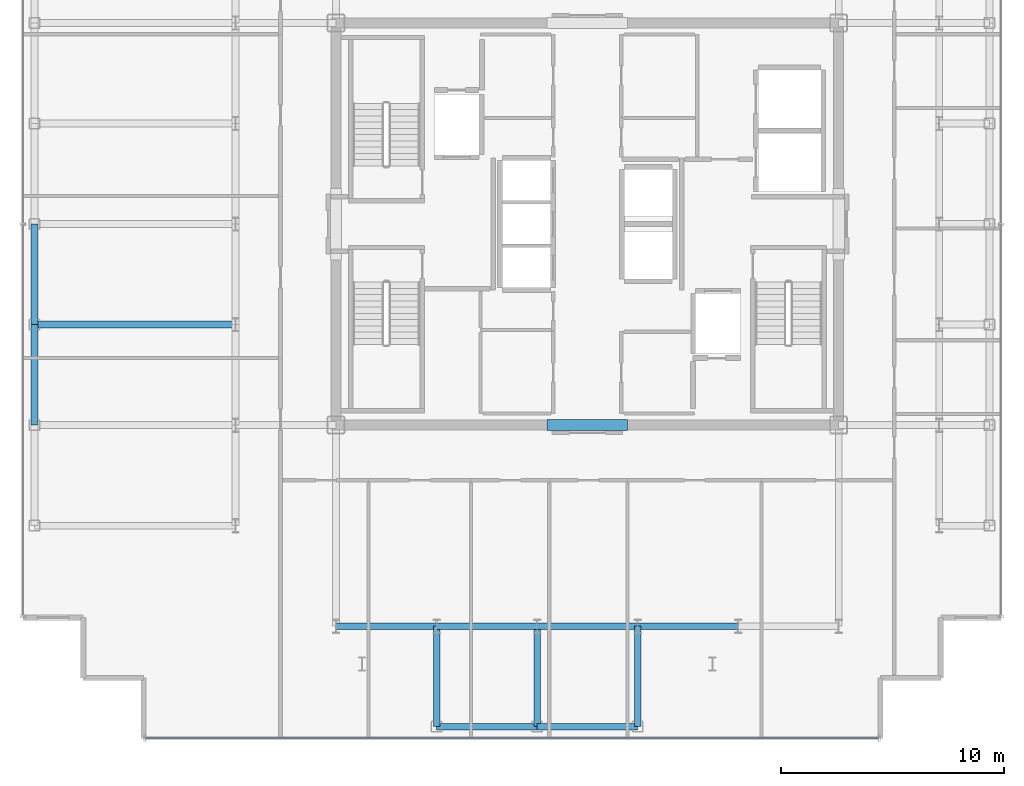
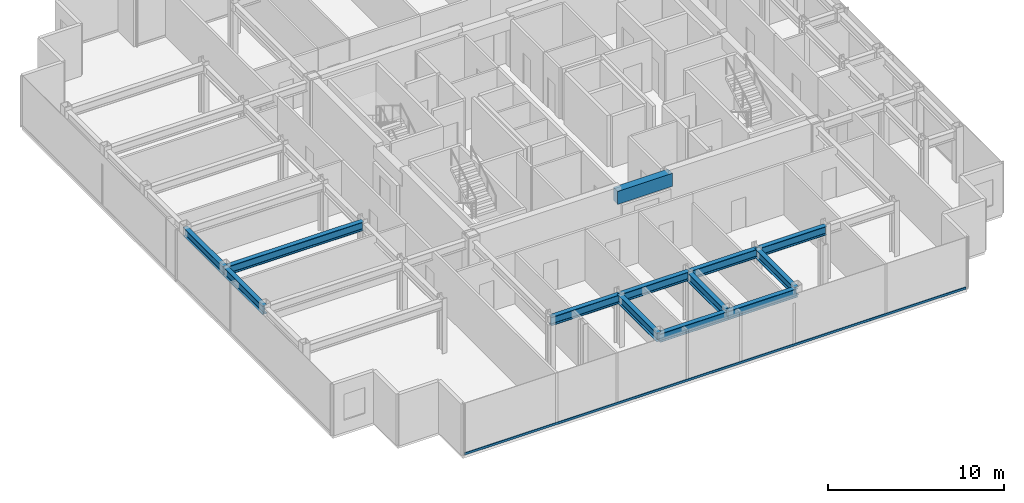
# One storey, part 3 of 18: 13 beams, 1 member, 1 element without a shape of its own.
"""IFC4 building model written with IfcOpenShell, lengths in metres."""

from ifc_helpers import new_model, si_unit, direction, frame, origin, origin_2d, place, context, subcontext, project, spatial, rectangle, hollow_rectangle, i_section, extrude, source, transform, mapped, material, layer, layer_set, material_profile, profile_set, type_object, element, aggregate, save


model = new_model("IFC4")

# Units and contexts
model_context = context("Model", 3, precision=1e-05, world=origin(), true_north=direction((0.0, 1.0)))
body_context = subcontext(model_context, "Body", "Model", "MODEL_VIEW")
ifc_project = project(units=[si_unit("LENGTHUNIT", "METRE"), si_unit("AREAUNIT", "SQUARE_METRE"), si_unit("VOLUMEUNIT", "CUBIC_METRE"), si_unit("PLANEANGLEUNIT", "RADIAN"), si_unit("MASSUNIT", "GRAM", prefix="KILO")], contexts=[model_context])

# Site, building, storey
site_placement = place(None, origin())
site = spatial("IfcSite", under=ifc_project, at=site_placement, CompositionType="ELEMENT")
building_placement = place(site_placement, origin())
building = spatial("IfcBuilding", under=site, at=building_placement, Name="Nefas-Gora Pilgrimage Tower", CompositionType="ELEMENT")
storey_placement = place(building_placement, frame((0.0, 0.0, 295.0)))
storey = spatial("IfcBuildingStorey", under=building, at=storey_placement, Name="L74", CompositionType="ELEMENT", Elevation=295.0)

# Beams
ifc_material_1 = material(Name="Concrete C50/60", Category="concrete")
ifc_material_profile_1 = material_profile(ifc_material_1, rectangle(XDim=0.5, YDim=0.89990234375, at=origin_2d()), Name="RC 500x900")
ifc_profile_set_1 = profile_set([ifc_material_profile_1], Name="Concrete C50/60")
beam_type_1 = type_object("IfcBeamType", Name="BM-LIN-RC900", PredefinedType="LINTEL", material=ifc_profile_set_1)
shared_shape_1 = source(origin(), body_context, "Body", "SweptSolid", [
    extrude(rectangle(XDim=0.5, YDim=0.89990234375, at=origin_2d()), origin(), (0.0, 0.0, 1.0), 3.60009765625),
])
beam_1_placement = place(storey_placement, frame((-1.800048828125, -9.0, 3.10009765625), z_axis=(1.0, 0.0, 0.0), x_axis=(0.0, 1.0, 0.0)))
element("IfcBeam", 1, at=beam_1_placement, inside=storey, type_object=beam_type_1, Name="L74 Core Coupling Lintel Beam S", PredefinedType="LINTEL", context=body_context, shape_type="MappedRepresentation", body=[
    mapped(shared_shape_1, transform((0.0, 0.0, 0.0), x_axis=(1.0, 0.0, 0.0), y_axis=(0.0, 1.0, 0.0), z_axis=(0.0, 0.0, 1.0), scale=1.0)),
])
ifc_material_2 = material(Name="Steel S355", Category="steel")
ifc_material_profile_2 = material_profile(ifc_material_2, i_section(OverallWidth=0.300048828125, OverallDepth=0.60009765625, WebThickness=0.015380859375, FlangeThickness=0.030029296875, FilletRadius=0.027099609375, at=origin_2d()), Name="HEB 600")
ifc_profile_set_2 = profile_set([ifc_material_profile_2], Name="Steel S355")
beam_type_2 = type_object("IfcBeamType", Name="BM-SPN-HEB450", PredefinedType="SPANDREL", material=ifc_profile_set_2)
shared_shape_2 = source(origin(), body_context, "Body", "SweptSolid", [
    extrude(i_section(OverallWidth=0.300048828125, OverallDepth=0.60009765625, WebThickness=0.015380859375, FlangeThickness=0.030029296875, FilletRadius=0.027099609375, at=origin_2d()), origin(), (0.0, 0.0, 1.0), 4.5),
])
for number, where, z_axis, x_axis, name in (
    (2, (-24.75, -9.0, 3.25), (0.0, 1.0, 0.0), (-1.0, 0.0, 0.0), "L74 SP-03 beam"),
    (3, (-24.75, -4.5, 3.25), (0.0, 1.0, 0.0), (-1.0, 0.0, 0.0), "L74 SP-03 beam"),
    (4, (-6.75, -22.5, 3.25), (1.0, 0.0, 0.0), (0.0, 1.0, 0.0), "L74 SP-03 beam"),
    (5, (-2.25, -22.5, 3.25), (1.0, 0.0, 0.0), (0.0, 1.0, 0.0), "L74 SP-03 beam"),
):
    element("IfcBeam", number, at=place(storey_placement, frame(where, z_axis=z_axis, x_axis=x_axis)), inside=storey, type_object=beam_type_2, Name=name, PredefinedType="SPANDREL", context=body_context, shape_type="MappedRepresentation", body=[
        mapped(shared_shape_2, transform((0.0, 0.0, 0.0), x_axis=(1.0, 0.0, 0.0), y_axis=(0.0, 1.0, 0.0), z_axis=(0.0, 0.0, 1.0), scale=1.0)),
    ])
ifc_material_profile_3 = material_profile(ifc_material_2, i_section(OverallWidth=0.300048828125, OverallDepth=0.60009765625, WebThickness=0.015380859375, FlangeThickness=0.030029296875, FilletRadius=0.027099609375, at=origin_2d()), Name="HEB 600")
ifc_profile_set_3 = profile_set([ifc_material_profile_3], Name="Steel S355")
beam_type_3 = type_object("IfcBeamType", Name="BM-GIR-HEB600", PredefinedType="BEAM", material=ifc_profile_set_3)
shared_shape_3 = source(origin(), body_context, "Body", "SweptSolid", [
    extrude(i_section(OverallWidth=0.300048828125, OverallDepth=0.60009765625, WebThickness=0.015380859375, FlangeThickness=0.030029296875, FilletRadius=0.027099609375, at=origin_2d()), origin(), (0.0, 0.0, 1.0), 9.0),
])
beam_2_placement = place(storey_placement, frame((-24.75, -4.5, 3.25), z_axis=(1.0, 0.0, 0.0), x_axis=(0.0, 1.0, 0.0)))
element("IfcBeam", 6, at=beam_2_placement, inside=storey, type_object=beam_type_3, Name="L74 G-04 beam", PredefinedType="BEAM", context=body_context, shape_type="MappedRepresentation", body=[
    mapped(shared_shape_3, transform((0.0, 0.0, 0.0), x_axis=(1.0, 0.0, 0.0), y_axis=(0.0, 1.0, 0.0), z_axis=(0.0, 0.0, 1.0), scale=1.0)),
])
shared_shape_4 = source(origin(), body_context, "Body", "SweptSolid", [
    extrude(i_section(OverallWidth=0.300048828125, OverallDepth=0.60009765625, WebThickness=0.015380859375, FlangeThickness=0.030029296875, FilletRadius=0.027099609375, at=origin_2d()), origin(), (0.0, 0.0, 1.0), 4.5),
])
for number, where, z_axis, x_axis, name in (
    (7, (-11.25, -18.0, 3.25), (1.0, 0.0, 0.0), (0.0, 1.0, 0.0), "L74 G-04 beam"),
    (8, (-6.75, -22.5, 3.25), (0.0, 1.0, 0.0), (-1.0, 0.0, 0.0), "L74 G-04 beam"),
    (9, (-6.75, -18.0, 3.25), (1.0, 0.0, 0.0), (0.0, 1.0, 0.0), "L74 G-04 beam"),
    (10, (-2.25, -22.5, 3.25), (0.0, 1.0, 0.0), (-1.0, 0.0, 0.0), "L74 G-04 beam"),
    (11, (-2.25, -18.0, 3.25), (1.0, 0.0, 0.0), (0.0, 1.0, 0.0), "L74 G-04 beam"),
    (12, (2.25, -22.5, 3.25), (0.0, 1.0, 0.0), (-1.0, 0.0, 0.0), "L74 G-04 beam"),
    (13, (2.25, -18.0, 3.25), (1.0, 0.0, 0.0), (0.0, 1.0, 0.0), "L74 G-04 beam"),
):
    element("IfcBeam", number, at=place(storey_placement, frame(where, z_axis=z_axis, x_axis=x_axis)), inside=storey, type_object=beam_type_3, Name=name, PredefinedType="BEAM", context=body_context, shape_type="MappedRepresentation", body=[
        mapped(shared_shape_4, transform((0.0, 0.0, 0.0), x_axis=(1.0, 0.0, 0.0), y_axis=(0.0, 1.0, 0.0), z_axis=(0.0, 0.0, 1.0), scale=1.0)),
    ])

# Curtain wall, member
ifc_material_3 = material(Name="Dark ceramic-fritted solar-control aluminium-glass curtain wall", Category="aluminium")
ifc_layer = layer(ifc_material_3, 0.219970703125)
ifc_layer_set = layer_set([ifc_layer], Name="Dark ceramic-fritted solar-control aluminium-glass curtain wall")
curtain_wall_type = type_object("IfcCurtainWallType", Name="CW-SYS-4", PredefinedType="NOTDEFINED", material=ifc_layer_set)
curtain_wall_placement = place(storey_placement, origin())
curtain_wall = element("IfcCurtainWall", 14, at=curtain_wall_placement, inside=storey, type_object=curtain_wall_type, Name="L74 Unitised Curtain Wall CW4", PredefinedType="NOTDEFINED")
ifc_material_4 = material(Name="Anodised architectural aluminium", Category="aluminium")
ifc_material_profile_4 = material_profile(ifc_material_4, hollow_rectangle(XDim=0.080078125, YDim=0.159912109375, WallThickness=0.00439453125, InnerFilletRadius=0.00439453125, OuterFilletRadius=0.009033203125, at=origin_2d()), Name="ALU TRANSOM 80x160")
ifc_profile_set_4 = profile_set([ifc_material_profile_4], Name="Anodised architectural aluminium")
member_type = type_object("IfcMemberType", Name="CWM-TRN-4", PredefinedType="USERDEFINED", material=ifc_profile_set_4)
shared_shape_5 = source(origin(), body_context, "Body", "SweptSolid", [
    extrude(hollow_rectangle(XDim=0.080078125, YDim=0.159912109375, WallThickness=0.00439453125, InnerFilletRadius=0.00439453125, OuterFilletRadius=0.009033203125, at=origin_2d()), origin(), (0.0, 0.0, 1.0), 32.81005859375),
])
member_placement = place(storey_placement, frame((-19.780029296875, -23.02001953125, 0.050048828125), z_axis=(1.0, 0.0, 0.0), x_axis=(0.0, 1.0, 0.0)))
member = element("IfcMember", 15, at=member_placement, type_object=member_type, Name="CW4 Spandrel Transom", ObjectType="TRANSOM", PredefinedType="USERDEFINED", context=body_context, shape_type="MappedRepresentation", body=[
    mapped(shared_shape_5, transform((0.0, 0.0, 0.0), x_axis=(1.0, 0.0, 0.0), y_axis=(0.0, 1.0, 0.0), z_axis=(0.0, 0.0, 1.0), scale=1.0)),
])
aggregate(curtain_wall, [member])

save(model, "model.ifc")
